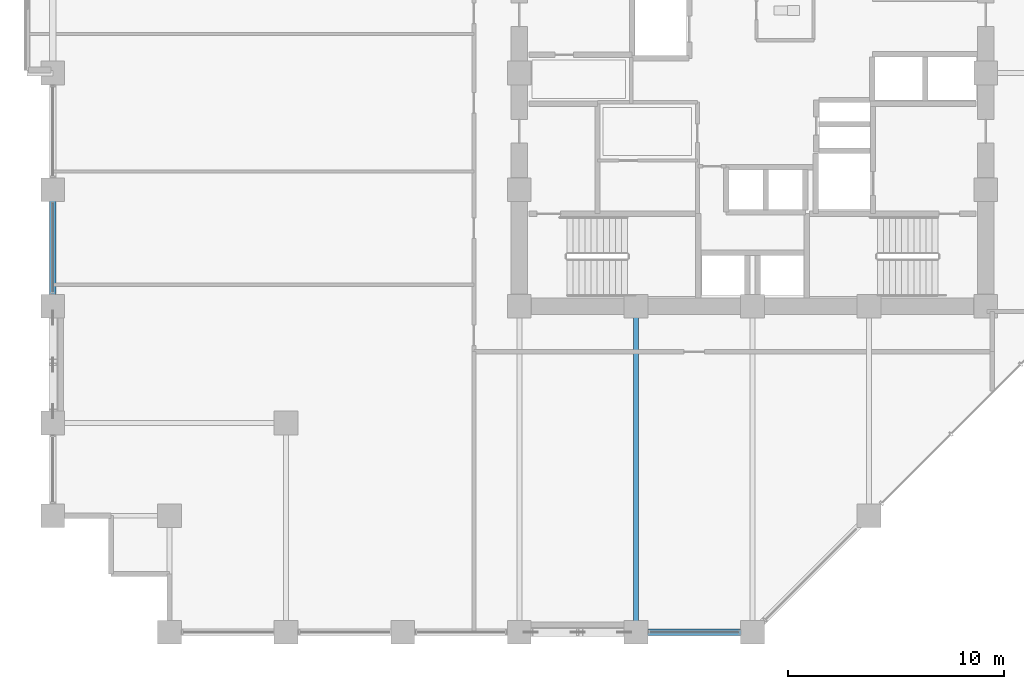
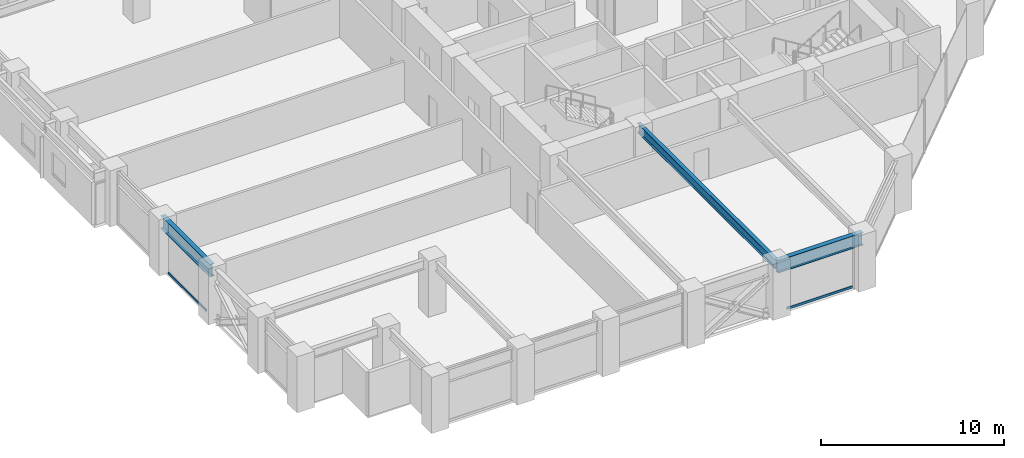
# One storey, part 5 of 26: 3 beams, 2 members, 2 elements without a shape of their own.
"""IFC4 building model written with IfcOpenShell, lengths in metres."""

from ifc_helpers import new_model, si_unit, direction, frame, origin, origin_2d, place, context, subcontext, project, spatial, hollow_rectangle, i_section, extrude, material, layer, layer_set, material_profile, profile_set, type_object, element, aggregate, save


model = new_model("IFC4")

# Units and contexts
model_context = context("Model", 3, precision=1e-05, world=origin(), true_north=direction((0.0, 1.0)))
body_context = subcontext(model_context, "Body", "Model", "MODEL_VIEW")
ifc_project = project(units=[si_unit("LENGTHUNIT", "METRE"), si_unit("AREAUNIT", "SQUARE_METRE"), si_unit("VOLUMEUNIT", "CUBIC_METRE"), si_unit("PLANEANGLEUNIT", "RADIAN"), si_unit("MASSUNIT", "GRAM", prefix="KILO")], contexts=[model_context])

# Site, building, storey
site_placement = place(None, origin())
site = spatial("IfcSite", under=ifc_project, at=site_placement, CompositionType="ELEMENT")
building_placement = place(site_placement, origin())
building = spatial("IfcBuilding", under=site, at=building_placement, Name="Surkhivell Harbour Commons", CompositionType="ELEMENT")
storey_placement = place(building_placement, frame((0.0, 0.0, 102.0)))
storey = spatial("IfcBuildingStorey", under=building, at=storey_placement, Name="L26", CompositionType="ELEMENT", Elevation=102.0)

# Beams
ifc_material_1 = material(Name="Steel S355", Category="steel")
ifc_material_profile_1 = material_profile(ifc_material_1, i_section(OverallWidth=0.22998046875, OverallDepth=0.616943359375, WebThickness=0.01318359375, FlangeThickness=0.022216796875, at=origin_2d()), Name="UB610x229x140")
ifc_profile_set_1 = profile_set([ifc_material_profile_1], Name="Steel S355")
beam_type_1 = type_object("IfcBeamType", Name="BM-GRD-610B", PredefinedType="BEAM", material=ifc_profile_set_1)
beam_1_placement = place(storey_placement, frame((-5.39990234375, -25.89990234375, 3.261474609375), z_axis=(0.0, 1.0, 0.0), x_axis=(-1.0, 0.0, 0.0)))
element("IfcBeam", 1, at=beam_1_placement, inside=storey, type_object=beam_type_1, Name="L26 Floor Girder (-5.4,-25.9)", PredefinedType="BEAM", context=body_context, shape_type="SweptSolid", body=[
    extrude(i_section(OverallWidth=0.22998046875, OverallDepth=0.616943359375, WebThickness=0.01318359375, FlangeThickness=0.022216796875, at=origin_2d()), origin(), (0.0, 0.0, 1.0), 15.099853515625),
])
ifc_material_2 = material(Name="Steel S460", Category="steel")
ifc_material_profile_2 = material_profile(ifc_material_2, i_section(OverallWidth=0.2939453125, OverallDepth=0.85107421875, WebThickness=0.01611328125, FlangeThickness=0.02685546875, at=origin_2d()), Name="UB838x292x226")
ifc_profile_set_2 = profile_set([ifc_material_profile_2], Name="Steel S460")
beam_type_2 = type_object("IfcBeamType", Name="BM-SPN-838", PredefinedType="SPANDREL", material=ifc_profile_set_2)
beam_2_placement = place(storey_placement, frame((-32.39990234375, -10.800048828125, 3.14453125), z_axis=(0.0, 1.0, 0.0), x_axis=(-1.0, 0.0, 0.0)))
element("IfcBeam", 2, at=beam_2_placement, inside=storey, type_object=beam_type_2, Name="L26 Tube Spandrel (-32.4,-10.8)", PredefinedType="SPANDREL", context=body_context, shape_type="SweptSolid", body=[
    extrude(i_section(OverallWidth=0.2939453125, OverallDepth=0.85107421875, WebThickness=0.01611328125, FlangeThickness=0.02685546875, at=origin_2d()), origin(), (0.0, 0.0, 1.0), 5.400146484375),
])
beam_3_placement = place(storey_placement, frame((-5.39990234375, -25.89990234375, 3.14453125), z_axis=(1.0, 0.0, 0.0), x_axis=(0.0, 1.0, 0.0)))
element("IfcBeam", 3, at=beam_3_placement, inside=storey, type_object=beam_type_2, Name="L26 Tube Spandrel (-5.4,-25.9)", PredefinedType="SPANDREL", context=body_context, shape_type="SweptSolid", body=[
    extrude(i_section(OverallWidth=0.2939453125, OverallDepth=0.85107421875, WebThickness=0.01611328125, FlangeThickness=0.02685546875, at=origin_2d()), origin(), (0.0, 0.0, 1.0), 5.39990234375),
])

# Curtain wall, member
ifc_material_3 = material(Name="Anodised pale-metal aluminium and insulated glazing", Category="aluminium")
ifc_layer = layer(ifc_material_3, 0.205078125)
ifc_layer_set = layer_set([ifc_layer], Name="Anodised pale-metal aluminium and insulated glazing")
curtain_wall_type = type_object("IfcCurtainWallType", Name="CW-SYS-Z2", PredefinedType="NOTDEFINED", material=ifc_layer_set)
curtain_wall_1_placement = place(storey_placement, origin())
curtain_wall_1 = element("IfcCurtainWall", 4, at=curtain_wall_1_placement, inside=storey, type_object=curtain_wall_type, Name="L26 Curtain Wall CW-L26-E00S2", PredefinedType="NOTDEFINED")
ifc_material_4 = material(Name="Anodised pale-metal aluminium alloy 6063-T6", Category="aluminium")
ifc_material_profile_3 = material_profile(ifc_material_4, hollow_rectangle(XDim=0.074951171875, YDim=0.14990234375, WallThickness=0.00341796875, at=origin_2d()), Name="ALU-TRAN-75x150")
ifc_profile_set_3 = profile_set([ifc_material_profile_3], Name="Anodised pale-metal aluminium alloy 6063-T6")
member_type = type_object("IfcMemberType", Name="CWT-150", PredefinedType="USERDEFINED", material=ifc_profile_set_3)
member_1_placement = place(storey_placement, frame((-4.77294921875, -25.89990234375, 0.074951171875), z_axis=(1.0, 0.0, 0.0), x_axis=(0.0, 1.0, 0.0)))
member_1 = element("IfcMember", 5, at=member_1_placement, type_object=member_type, Name="CW-Z2 transom 1.1", ObjectType="TRANSOM", PredefinedType="USERDEFINED", context=body_context, shape_type="SweptSolid", body=[
    extrude(hollow_rectangle(XDim=0.074951171875, YDim=0.14990234375, WallThickness=0.00341796875, at=origin_2d()), origin(), (0.0, 0.0, 1.0), 4.14599609375),
])
aggregate(curtain_wall_1, [member_1])

curtain_wall_2_placement = place(storey_placement, origin())
curtain_wall_2 = element("IfcCurtainWall", 6, at=curtain_wall_2_placement, inside=storey, type_object=curtain_wall_type, Name="L26 Curtain Wall CW-L26-E12R1S2", PredefinedType="NOTDEFINED")
member_2_placement = place(storey_placement, frame((-32.39990234375, -10.173095703125, 0.074951171875), z_axis=(0.0, 1.0, 0.0), x_axis=(-1.0, 0.0, 0.0)))
member_2 = element("IfcMember", 7, at=member_2_placement, type_object=member_type, Name="CW-Z2 transom 1.1", ObjectType="TRANSOM", PredefinedType="USERDEFINED", context=body_context, shape_type="SweptSolid", body=[
    extrude(hollow_rectangle(XDim=0.074951171875, YDim=0.14990234375, WallThickness=0.00341796875, at=origin_2d()), origin(), (0.0, 0.0, 1.0), 4.14599609375),
])
aggregate(curtain_wall_2, [member_2])

save(model, "model.ifc")
